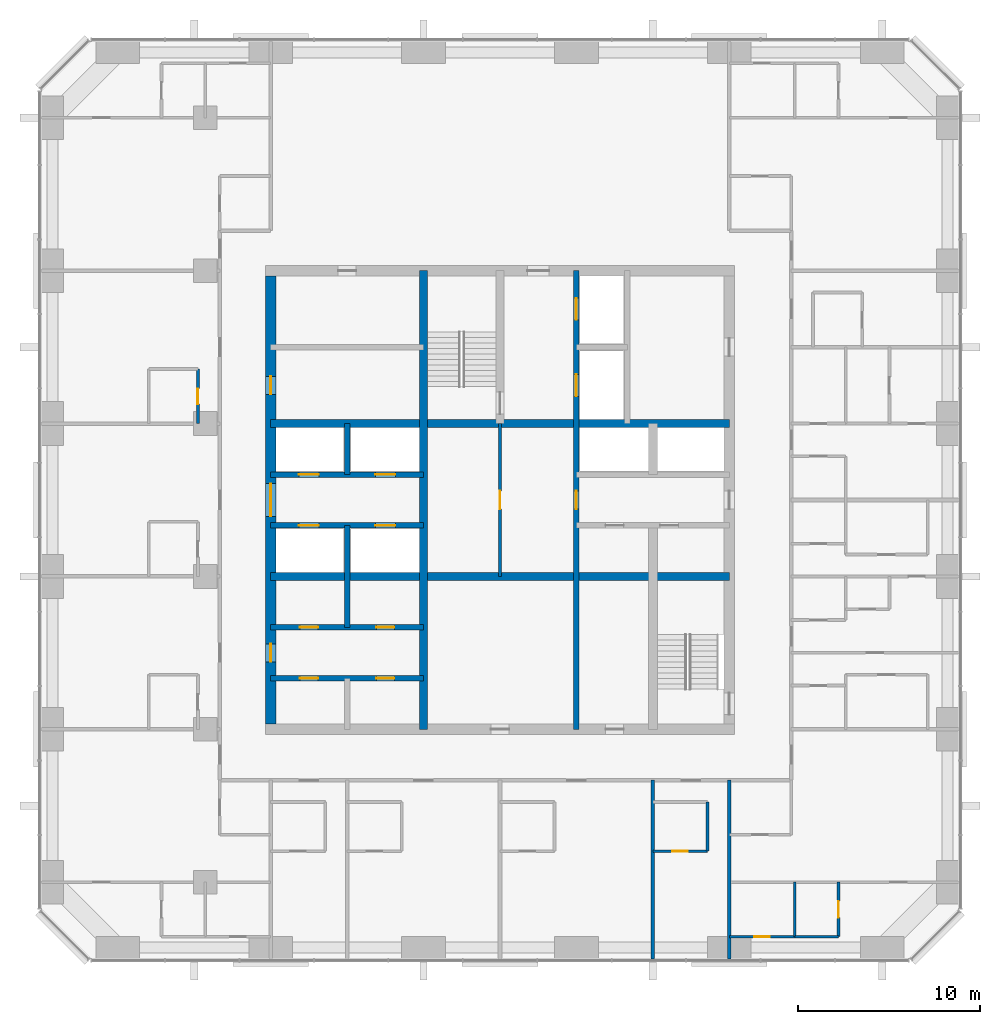
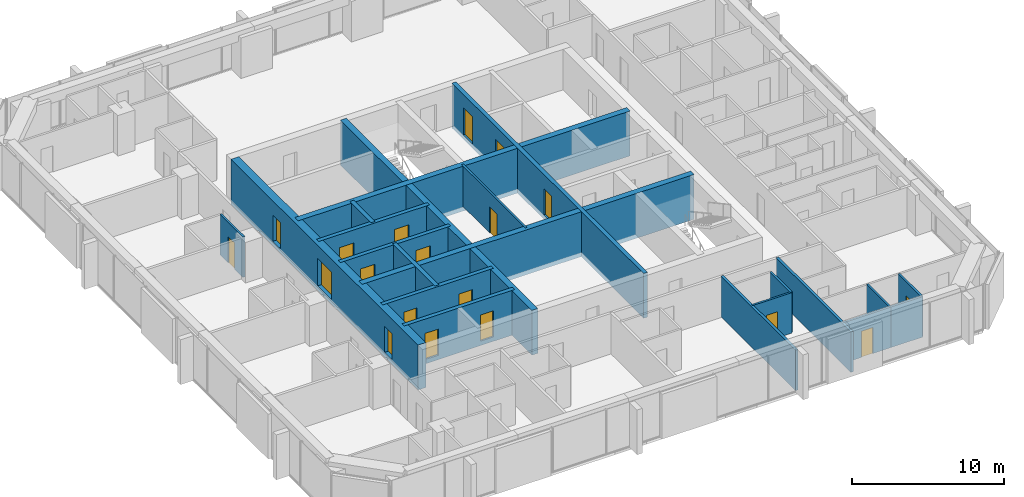
# One storey, part 9 of 13: 21 walls, 19 doors, 19 openings.
"""IFC4 building model written with IfcOpenShell, lengths in metres."""

from ifc_helpers import new_model, si_unit, direction, frame, frame_2d, origin, place, context, subcontext, project, spatial, rectangle, extrude, material, layer, layer_set, type_object, element, fill, save


model = new_model("IFC4")

# Units and contexts
model_context = context("Model", 3, precision=1e-05, world=origin(), true_north=direction((0.0, 1.0)))
body_context = subcontext(model_context, "Body", "Model", "MODEL_VIEW")
ifc_project = project(units=[si_unit("LENGTHUNIT", "METRE"), si_unit("AREAUNIT", "SQUARE_METRE"), si_unit("VOLUMEUNIT", "CUBIC_METRE"), si_unit("PLANEANGLEUNIT", "RADIAN"), si_unit("MASSUNIT", "GRAM", prefix="KILO")], contexts=[model_context])

# Site, building, storey
site_placement = place(None, origin())
site = spatial("IfcSite", under=ifc_project, at=site_placement, CompositionType="ELEMENT")
building_placement = place(site_placement, origin())
building = spatial("IfcBuilding", under=site, at=building_placement, Name="Dunama Terrace Hotel", CompositionType="ELEMENT")
storey_placement = place(building_placement, frame((0.0, 0.0, 191.39990234375)))
storey = spatial("IfcBuildingStorey", under=building, at=storey_placement, Name="L49", CompositionType="ELEMENT", Elevation=191.39990234375)

# Wall, opening, door
ifc_material_1 = material(Name="Gypsum board partition", Category="masonry")
ifc_layer_1 = layer(ifc_material_1, 0.14990234375)
ifc_layer_set_1 = layer_set([ifc_layer_1], Name="Bathroom partition 150")
wall_type_1 = type_object("IfcWallType", Name="Bathroom partition 150", PredefinedType="PARTITIONING", material=ifc_layer_set_1)
wall_1_placement = place(storey_placement, frame((12.800048828125, 33.60009765625, 0.0), z_axis=(0.0, 0.0, 1.0), x_axis=(0.0, 1.0, 0.0)))
wall_1 = element("IfcWall", 1, at=wall_1_placement, inside=storey, type_object=wall_type_1, Name="Bathroom partition 150 L49", PredefinedType="PARTITIONING", context=body_context, shape_type="SweptSolid", body=[
    extrude(rectangle(XDim=3.0, YDim=0.14990234375, at=frame_2d((1.5, 0.0))), origin(), (0.0, 0.0, 1.0), 3.25),
])
opening_1_placement = place(wall_1_placement, frame((1.074951171875, 0.0, 0.0)))
opening_1 = element("IfcOpeningElement", 2, at=opening_1_placement, cuts=wall_1, Name="Opening L48-50-038", PredefinedType="OPENING", context=body_context, shape_type="SweptSolid", body=[
    extrude(rectangle(XDim=0.85009765625, YDim=2.10009765625, at=frame_2d((0.425048828125, 1.050048828125))), frame((0.0, 0.0849609375, 0.0), z_axis=(0.0, -1.0, 0.0), x_axis=(1.0, 0.0, 0.0)), (0.0, 0.0, 1.0), 0.169921875),
])
ifc_material_2 = material(Name="Timber door with steel frame", Category="steel")
door_type_1 = type_object("IfcDoorType", Name="Bathroom door 850", OperationType="SINGLE_SWING_LEFT", PredefinedType="DOOR", material=ifc_material_2)
door_1_placement = place(opening_1_placement, origin())
door_1 = element("IfcDoor", 3, at=door_1_placement, inside=storey, type_object=door_type_1, Name="Door to en-suite bathroom L48-50-038, type D2", OperationType="SINGLE_SWING_LEFT", OverallHeight=2.10009765625, OverallWidth=0.85009765625, PredefinedType="DOOR", context=body_context, shape_type="SweptSolid", body=[
    extrude(rectangle(XDim=0.85009765625, YDim=2.10009765625, at=frame_2d((0.425048828125, 1.050048828125))), frame((0.0, 0.02490234375, 0.0), z_axis=(0.0, -1.0, 0.0), x_axis=(1.0, 0.0, 0.0)), (0.0, 0.0, 1.0), 0.050048828125),
])
fill(opening_1, door_1)

# Wall
wall_2_placement = place(storey_placement, frame((40.800048828125, 10.10009765625, 0.0), z_axis=(0.0, 0.0, 1.0), x_axis=(0.0, 1.0, 0.0)))
element("IfcWall", 4, at=wall_2_placement, inside=storey, type_object=wall_type_1, Name="Bathroom partition 150 L49", PredefinedType="PARTITIONING", context=body_context, shape_type="SweptSolid", body=[
    extrude(rectangle(XDim=2.699951171875, YDim=0.14990234375, at=frame_2d((1.35009765625, 0.0))), origin(), (0.0, 0.0, 1.0), 3.25),
])

# Wall, opening, door
wall_3_placement = place(storey_placement, frame((42.0, 5.39990234375, 0.0), z_axis=(0.0, 0.0, 1.0), x_axis=(1.0, 0.0, 0.0)))
wall_3 = element("IfcWall", 5, at=wall_3_placement, inside=storey, type_object=wall_type_1, Name="Bathroom partition 150 L49", PredefinedType="PARTITIONING", context=body_context, shape_type="SweptSolid", body=[
    extrude(rectangle(XDim=3.60009765625, YDim=0.14990234375, at=frame_2d((1.800048828125, 0.0))), origin(), (0.0, 0.0, 1.0), 3.25),
])
opening_2_placement = place(wall_3_placement, frame((1.375, 0.0, 0.0)))
opening_2 = element("IfcOpeningElement", 6, at=opening_2_placement, cuts=wall_3, Name="Opening L48-50-047", PredefinedType="OPENING", context=body_context, shape_type="SweptSolid", body=[
    extrude(rectangle(XDim=0.85009765625, YDim=2.10009765625, at=frame_2d((0.425048828125, 1.050048828125))), frame((0.0, 0.0849609375, 0.0), z_axis=(0.0, -1.0, 0.0), x_axis=(1.0, 0.0, 0.0)), (0.0, 0.0, 1.0), 0.169921875),
])
door_2_placement = place(opening_2_placement, origin())
door_2 = element("IfcDoor", 7, at=door_2_placement, inside=storey, type_object=door_type_1, Name="Door to en-suite bathroom L48-50-047, type D2", OperationType="SINGLE_SWING_LEFT", OverallHeight=2.10009765625, OverallWidth=0.85009765625, PredefinedType="DOOR", context=body_context, shape_type="SweptSolid", body=[
    extrude(rectangle(XDim=0.85009765625, YDim=2.10009765625, at=frame_2d((0.425048828125, 1.050048828125))), frame((0.0, 0.02490234375, 0.0), z_axis=(0.0, -1.0, 0.0), x_axis=(1.0, 0.0, 0.0)), (0.0, 0.0, 1.0), 0.050048828125),
])
fill(opening_2, door_2)

wall_4_placement = place(storey_placement, frame((37.800048828125, 10.10009765625, 0.0), z_axis=(0.0, 0.0, 1.0), x_axis=(1.0, 0.0, 0.0)))
wall_4 = element("IfcWall", 8, at=wall_4_placement, inside=storey, type_object=wall_type_1, Name="Bathroom partition 150 L49", PredefinedType="PARTITIONING", context=body_context, shape_type="SweptSolid", body=[
    extrude(rectangle(XDim=3.0, YDim=0.14990234375, at=frame_2d((1.5, 0.0))), origin(), (0.0, 0.0, 1.0), 3.25),
])
opening_3_placement = place(wall_4_placement, frame((1.074951171875, 0.0, 0.0)))
opening_3 = element("IfcOpeningElement", 9, at=opening_3_placement, cuts=wall_4, Name="Opening L48-50-016", PredefinedType="OPENING", context=body_context, shape_type="SweptSolid", body=[
    extrude(rectangle(XDim=0.85009765625, YDim=2.10009765625, at=frame_2d((0.425048828125, 1.050048828125))), frame((0.0, 0.0849609375, 0.0), z_axis=(0.0, -1.0, 0.0), x_axis=(1.0, 0.0, 0.0)), (0.0, 0.0, 1.0), 0.169921875),
])
door_3_placement = place(opening_3_placement, origin())
door_3 = element("IfcDoor", 10, at=door_3_placement, inside=storey, type_object=door_type_1, Name="Door to en-suite bathroom L48-50-016, type D2", OperationType="SINGLE_SWING_LEFT", OverallHeight=2.10009765625, OverallWidth=0.85009765625, PredefinedType="DOOR", context=body_context, shape_type="SweptSolid", body=[
    extrude(rectangle(XDim=0.85009765625, YDim=2.10009765625, at=frame_2d((0.425048828125, 1.050048828125))), frame((0.0, 0.02490234375, 0.0), z_axis=(0.0, -1.0, 0.0), x_axis=(1.0, 0.0, 0.0)), (0.0, 0.0, 1.0), 0.050048828125),
])
fill(opening_3, door_3)

# Walls
ifc_material_3 = material(Name="Concrete C50/60", Category="concrete")
ifc_layer_2 = layer(ifc_material_3, 0.300048828125)
ifc_layer_set_2 = layer_set([ifc_layer_2], Name="Core inner wall 300")
wall_type_2 = type_object("IfcWallType", Name="Core inner wall 300", PredefinedType="SHEAR", material=ifc_layer_set_2)
wall_5_placement = place(storey_placement, frame((21.0, 22.39990234375, -0.349853515625), z_axis=(0.0, 0.0, 1.0), x_axis=(0.0, 1.0, 0.0)))
element("IfcWall", 11, at=wall_5_placement, inside=storey, type_object=wall_type_2, Name="Core inner wall 300 L49", PredefinedType="SHEAR", context=body_context, shape_type="SweptSolid", body=[
    extrude(rectangle(XDim=5.60009765625, YDim=0.300048828125, at=frame_2d((2.800048828125, 0.0))), origin(), (0.0, 0.0, 1.0), 3.599853515625),
])
wall_6_placement = place(storey_placement, frame((21.0, 30.800048828125, -0.349853515625), z_axis=(0.0, 0.0, 1.0), x_axis=(0.0, 1.0, 0.0)))
element("IfcWall", 12, at=wall_6_placement, inside=storey, type_object=wall_type_2, Name="Core inner wall 300 L49", PredefinedType="SHEAR", context=body_context, shape_type="SweptSolid", body=[
    extrude(rectangle(XDim=2.800048828125, YDim=0.300048828125, at=frame_2d((1.39990234375, 0.0))), origin(), (0.0, 0.0, 1.0), 3.599853515625),
])

# Wall, openings, doors
wall_7_placement = place(storey_placement, frame((33.60009765625, 16.800048828125, -0.349853515625), z_axis=(0.0, 0.0, 1.0), x_axis=(0.0, 1.0, 0.0)))
wall_7 = element("IfcWall", 13, at=wall_7_placement, inside=storey, type_object=wall_type_2, Name="Core inner wall 300 L49", PredefinedType="SHEAR", context=body_context, shape_type="SweptSolid", body=[
    extrude(rectangle(XDim=25.199951171875, YDim=0.300048828125, at=frame_2d((12.60009765625, 0.0))), origin(), (0.0, 0.0, 1.0), 3.599853515625),
])
opening_4_placement = place(wall_7_placement, frame((22.5, 0.0, 0.35009765625)))
opening_4 = element("IfcOpeningElement", 14, at=opening_4_placement, cuts=wall_7, Name="Opening L48-50-007", PredefinedType="OPENING", context=body_context, shape_type="SweptSolid", body=[
    extrude(rectangle(XDim=1.199951171875, YDim=2.199951171875, at=frame_2d((0.60009765625, 1.10009765625))), frame((0.0, 0.159912109375, 0.0), z_axis=(0.0, -1.0, 0.0), x_axis=(1.0, 0.0, 0.0)), (0.0, 0.0, 1.0), 0.320068359375),
])
opening_5_placement = place(wall_7_placement, frame((18.300048828125, 0.0, 0.35009765625)))
opening_5 = element("IfcOpeningElement", 15, at=opening_5_placement, cuts=wall_7, Name="Opening L48-50-008", PredefinedType="OPENING", context=body_context, shape_type="SweptSolid", body=[
    extrude(rectangle(XDim=1.199951171875, YDim=2.199951171875, at=frame_2d((0.60009765625, 1.10009765625))), frame((0.0, 0.159912109375, 0.0), z_axis=(0.0, -1.0, 0.0), x_axis=(1.0, 0.0, 0.0)), (0.0, 0.0, 1.0), 0.320068359375),
])
opening_6_placement = place(wall_7_placement, frame((12.10009765625, 0.0, 0.35009765625)))
opening_6 = element("IfcOpeningElement", 16, at=opening_6_placement, cuts=wall_7, Name="Opening L48-50-067", PredefinedType="OPENING", context=body_context, shape_type="SweptSolid", body=[
    extrude(rectangle(XDim=1.0, YDim=2.10009765625, at=frame_2d((0.5, 1.050048828125))), frame((0.0, 0.159912109375, 0.0), z_axis=(0.0, -1.0, 0.0), x_axis=(1.0, 0.0, 0.0)), (0.0, 0.0, 1.0), 0.320068359375),
])
ifc_material_4 = material(Name="Stainless steel lift door", Category="steel")
door_type_2 = type_object("IfcDoorType", Name="Firefighting lift landing door 1200", OperationType="DOUBLE_DOOR_SLIDING", PredefinedType="DOOR", material=ifc_material_4)
door_4_placement = place(opening_4_placement, origin())
door_4 = element("IfcDoor", 17, at=door_4_placement, inside=storey, type_object=door_type_2, Name="Landing door FL1 L48-50-007, type LD2", OperationType="DOUBLE_DOOR_SLIDING", OverallHeight=2.199951171875, OverallWidth=1.199951171875, PredefinedType="DOOR", context=body_context, shape_type="SweptSolid", body=[
    extrude(rectangle(XDim=1.199951171875, YDim=2.199951171875, at=frame_2d((0.60009765625, 1.10009765625))), frame((0.0, 0.02490234375, 0.0), z_axis=(0.0, -1.0, 0.0), x_axis=(1.0, 0.0, 0.0)), (0.0, 0.0, 1.0), 0.050048828125),
])
fill(opening_4, door_4)
door_5_placement = place(opening_5_placement, origin())
door_5 = element("IfcDoor", 18, at=door_5_placement, inside=storey, type_object=door_type_2, Name="Landing door FL2 L48-50-008, type LD2", OperationType="DOUBLE_DOOR_SLIDING", OverallHeight=2.199951171875, OverallWidth=1.199951171875, PredefinedType="DOOR", context=body_context, shape_type="SweptSolid", body=[
    extrude(rectangle(XDim=1.199951171875, YDim=2.199951171875, at=frame_2d((0.60009765625, 1.10009765625))), frame((0.0, 0.02490234375, 0.0), z_axis=(0.0, -1.0, 0.0), x_axis=(1.0, 0.0, 0.0)), (0.0, 0.0, 1.0), 0.050048828125),
])
fill(opening_5, door_5)
ifc_material_5 = material(Name="Timber door with steel frame", Category="steel")
door_type_3 = type_object("IfcDoorType", Name="Service door 1000", OperationType="SINGLE_SWING_LEFT", PredefinedType="DOOR", material=ifc_material_5)
door_6_placement = place(opening_6_placement, origin())
door_6 = element("IfcDoor", 19, at=door_6_placement, inside=storey, type_object=door_type_3, Name="Door to linen store L48-50-067, type D7", OperationType="SINGLE_SWING_LEFT", OverallHeight=2.10009765625, OverallWidth=1.0, PredefinedType="DOOR", context=body_context, shape_type="SweptSolid", body=[
    extrude(rectangle(XDim=1.0, YDim=2.10009765625, at=frame_2d((0.5, 1.050048828125))), frame((0.0, 0.02490234375, 0.0), z_axis=(0.0, -1.0, 0.0), x_axis=(1.0, 0.0, 0.0)), (0.0, 0.0, 1.0), 0.050048828125),
])
fill(opening_6, door_6)

wall_8_placement = place(storey_placement, frame((16.800048828125, 19.60009765625, -0.349853515625), z_axis=(0.0, 0.0, 1.0), x_axis=(1.0, 0.0, 0.0)))
wall_8 = element("IfcWall", 20, at=wall_8_placement, inside=storey, type_object=wall_type_2, Name="Core inner wall 300 L49", PredefinedType="SHEAR", context=body_context, shape_type="SweptSolid", body=[
    extrude(rectangle(XDim=8.39990234375, YDim=0.300048828125, at=frame_2d((4.199951171875, 0.0))), origin(), (0.0, 0.0, 1.0), 3.599853515625),
])
opening_7_placement = place(wall_8_placement, frame((1.60009765625, 0.0, 0.35009765625)))
opening_7 = element("IfcOpeningElement", 21, at=opening_7_placement, cuts=wall_8, Name="Opening L48-50-060", PredefinedType="OPENING", context=body_context, shape_type="SweptSolid", body=[
    extrude(rectangle(XDim=1.0, YDim=2.10009765625, at=frame_2d((0.5, 1.050048828125))), frame((0.0, 0.159912109375, 0.0), z_axis=(0.0, -1.0, 0.0), x_axis=(1.0, 0.0, 0.0)), (0.0, 0.0, 1.0), 0.320068359375),
])
opening_8_placement = place(wall_8_placement, frame((5.800048828125, 0.0, 0.35009765625)))
opening_8 = element("IfcOpeningElement", 22, at=opening_8_placement, cuts=wall_8, Name="Opening L48-50-061", PredefinedType="OPENING", context=body_context, shape_type="SweptSolid", body=[
    extrude(rectangle(XDim=1.0, YDim=2.10009765625, at=frame_2d((0.5, 1.050048828125))), frame((0.0, 0.159912109375, 0.0), z_axis=(0.0, -1.0, 0.0), x_axis=(1.0, 0.0, 0.0)), (0.0, 0.0, 1.0), 0.320068359375),
])
door_7_placement = place(opening_7_placement, frame((1.0, 0.0, 0.0), z_axis=(0.0, 0.0, 1.0), x_axis=(-1.0, 0.0, 0.0)))
door_7 = element("IfcDoor", 23, at=door_7_placement, inside=storey, type_object=door_type_3, Name="Door to service riser L48-50-060, type D7", OperationType="SINGLE_SWING_RIGHT", OverallHeight=2.10009765625, OverallWidth=1.0, PredefinedType="DOOR", context=body_context, shape_type="SweptSolid", body=[
    extrude(rectangle(XDim=1.0, YDim=2.10009765625, at=frame_2d((0.5, 1.050048828125))), frame((0.0, 0.025146484375, 0.0), z_axis=(0.0, -1.0, 0.0), x_axis=(1.0, 0.0, 0.0)), (0.0, 0.0, 1.0), 0.050048828125),
])
fill(opening_7, door_7)
door_8_placement = place(opening_8_placement, frame((1.0, 0.0, 0.0), z_axis=(0.0, 0.0, 1.0), x_axis=(-1.0, 0.0, 0.0)))
door_8 = element("IfcDoor", 24, at=door_8_placement, inside=storey, type_object=door_type_3, Name="Door to housekeeping store L48-50-061, type D7", OperationType="SINGLE_SWING_LEFT", OverallHeight=2.10009765625, OverallWidth=1.0, PredefinedType="DOOR", context=body_context, shape_type="SweptSolid", body=[
    extrude(rectangle(XDim=1.0, YDim=2.10009765625, at=frame_2d((0.5, 1.050048828125))), frame((0.0, 0.025146484375, 0.0), z_axis=(0.0, -1.0, 0.0), x_axis=(1.0, 0.0, 0.0)), (0.0, 0.0, 1.0), 0.050048828125),
])
fill(opening_8, door_8)

wall_9_placement = place(storey_placement, frame((16.800048828125, 22.39990234375, -0.349853515625), z_axis=(0.0, 0.0, 1.0), x_axis=(1.0, 0.0, 0.0)))
wall_9 = element("IfcWall", 25, at=wall_9_placement, inside=storey, type_object=wall_type_2, Name="Core inner wall 300 L49", PredefinedType="SHEAR", context=body_context, shape_type="SweptSolid", body=[
    extrude(rectangle(XDim=8.39990234375, YDim=0.300048828125, at=frame_2d((4.199951171875, 0.0))), origin(), (0.0, 0.0, 1.0), 3.599853515625),
])
opening_9_placement = place(wall_9_placement, frame((1.60009765625, 0.0, 0.35009765625)))
opening_9 = element("IfcOpeningElement", 26, at=opening_9_placement, cuts=wall_9, Name="Opening L48-50-062", PredefinedType="OPENING", context=body_context, shape_type="SweptSolid", body=[
    extrude(rectangle(XDim=1.0, YDim=2.10009765625, at=frame_2d((0.5, 1.050048828125))), frame((0.0, 0.159912109375, 0.0), z_axis=(0.0, -1.0, 0.0), x_axis=(1.0, 0.0, 0.0)), (0.0, 0.0, 1.0), 0.320068359375),
])
opening_10_placement = place(wall_9_placement, frame((5.800048828125, 0.0, 0.35009765625)))
opening_10 = element("IfcOpeningElement", 27, at=opening_10_placement, cuts=wall_9, Name="Opening L48-50-063", PredefinedType="OPENING", context=body_context, shape_type="SweptSolid", body=[
    extrude(rectangle(XDim=1.0, YDim=2.10009765625, at=frame_2d((0.5, 1.050048828125))), frame((0.0, 0.159912109375, 0.0), z_axis=(0.0, -1.0, 0.0), x_axis=(1.0, 0.0, 0.0)), (0.0, 0.0, 1.0), 0.320068359375),
])
door_9_placement = place(opening_9_placement, origin())
door_9 = element("IfcDoor", 28, at=door_9_placement, inside=storey, type_object=door_type_3, Name="Door to staff accessible wc L48-50-062, type D7", OperationType="SINGLE_SWING_LEFT", OverallHeight=2.10009765625, OverallWidth=1.0, PredefinedType="DOOR", context=body_context, shape_type="SweptSolid", body=[
    extrude(rectangle(XDim=1.0, YDim=2.10009765625, at=frame_2d((0.5, 1.050048828125))), frame((0.0, 0.02490234375, 0.0), z_axis=(0.0, -1.0, 0.0), x_axis=(1.0, 0.0, 0.0)), (0.0, 0.0, 1.0), 0.050048828125),
])
fill(opening_9, door_9)
door_10_placement = place(opening_10_placement, origin())
door_10 = element("IfcDoor", 29, at=door_10_placement, inside=storey, type_object=door_type_3, Name="Door to it room L48-50-063, type D7", OperationType="SINGLE_SWING_RIGHT", OverallHeight=2.10009765625, OverallWidth=1.0, PredefinedType="DOOR", context=body_context, shape_type="SweptSolid", body=[
    extrude(rectangle(XDim=1.0, YDim=2.10009765625, at=frame_2d((0.5, 1.050048828125))), frame((0.0, 0.02490234375, 0.0), z_axis=(0.0, -1.0, 0.0), x_axis=(1.0, 0.0, 0.0)), (0.0, 0.0, 1.0), 0.050048828125),
])
fill(opening_10, door_10)

wall_10_placement = place(storey_placement, frame((16.800048828125, 28.0, -0.349853515625), z_axis=(0.0, 0.0, 1.0), x_axis=(1.0, 0.0, 0.0)))
wall_10 = element("IfcWall", 30, at=wall_10_placement, inside=storey, type_object=wall_type_2, Name="Core inner wall 300 L49", PredefinedType="SHEAR", context=body_context, shape_type="SweptSolid", body=[
    extrude(rectangle(XDim=8.39990234375, YDim=0.300048828125, at=frame_2d((4.199951171875, 0.0))), origin(), (0.0, 0.0, 1.0), 3.599853515625),
])
opening_11_placement = place(wall_10_placement, frame((1.550048828125, 0.0, 0.35009765625)))
opening_11 = element("IfcOpeningElement", 31, at=opening_11_placement, cuts=wall_10, Name="Opening L48-50-003", PredefinedType="OPENING", context=body_context, shape_type="SweptSolid", body=[
    extrude(rectangle(XDim=1.10009765625, YDim=2.199951171875, at=frame_2d((0.550048828125, 1.10009765625))), frame((0.0, 0.159912109375, 0.0), z_axis=(0.0, -1.0, 0.0), x_axis=(1.0, 0.0, 0.0)), (0.0, 0.0, 1.0), 0.320068359375),
])
opening_12_placement = place(wall_10_placement, frame((5.75, 0.0, 0.35009765625)))
opening_12 = element("IfcOpeningElement", 32, at=opening_12_placement, cuts=wall_10, Name="Opening L48-50-004", PredefinedType="OPENING", context=body_context, shape_type="SweptSolid", body=[
    extrude(rectangle(XDim=1.10009765625, YDim=2.199951171875, at=frame_2d((0.550048828125, 1.10009765625))), frame((0.0, 0.159912109375, 0.0), z_axis=(0.0, -1.0, 0.0), x_axis=(1.0, 0.0, 0.0)), (0.0, 0.0, 1.0), 0.320068359375),
])
ifc_material_6 = material(Name="Stainless steel lift door", Category="steel")
door_type_4 = type_object("IfcDoorType", Name="Lift landing door 1100", OperationType="DOUBLE_DOOR_SLIDING", PredefinedType="DOOR", material=ifc_material_6)
door_11_placement = place(opening_11_placement, origin())
door_11 = element("IfcDoor", 33, at=door_11_placement, inside=storey, type_object=door_type_4, Name="Landing door PC1 L48-50-003, type LD1", OperationType="DOUBLE_DOOR_SLIDING", OverallHeight=2.199951171875, OverallWidth=1.10009765625, PredefinedType="DOOR", context=body_context, shape_type="SweptSolid", body=[
    extrude(rectangle(XDim=1.10009765625, YDim=2.199951171875, at=frame_2d((0.550048828125, 1.10009765625))), frame((0.0, 0.02490234375, 0.0), z_axis=(0.0, -1.0, 0.0), x_axis=(1.0, 0.0, 0.0)), (0.0, 0.0, 1.0), 0.050048828125),
])
fill(opening_11, door_11)
door_12_placement = place(opening_12_placement, origin())
door_12 = element("IfcDoor", 34, at=door_12_placement, inside=storey, type_object=door_type_4, Name="Landing door PC2 L48-50-004, type LD1", OperationType="DOUBLE_DOOR_SLIDING", OverallHeight=2.199951171875, OverallWidth=1.10009765625, PredefinedType="DOOR", context=body_context, shape_type="SweptSolid", body=[
    extrude(rectangle(XDim=1.10009765625, YDim=2.199951171875, at=frame_2d((0.550048828125, 1.10009765625))), frame((0.0, 0.02490234375, 0.0), z_axis=(0.0, -1.0, 0.0), x_axis=(1.0, 0.0, 0.0)), (0.0, 0.0, 1.0), 0.050048828125),
])
fill(opening_12, door_12)

wall_11_placement = place(storey_placement, frame((16.800048828125, 30.800048828125, -0.349853515625), z_axis=(0.0, 0.0, 1.0), x_axis=(1.0, 0.0, 0.0)))
wall_11 = element("IfcWall", 35, at=wall_11_placement, inside=storey, type_object=wall_type_2, Name="Core inner wall 300 L49", PredefinedType="SHEAR", context=body_context, shape_type="SweptSolid", body=[
    extrude(rectangle(XDim=8.39990234375, YDim=0.300048828125, at=frame_2d((4.199951171875, 0.0))), origin(), (0.0, 0.0, 1.0), 3.599853515625),
])
opening_13_placement = place(wall_11_placement, frame((1.550048828125, 0.0, 0.35009765625)))
opening_13 = element("IfcOpeningElement", 36, at=opening_13_placement, cuts=wall_11, Name="Opening L48-50-005", PredefinedType="OPENING", context=body_context, shape_type="SweptSolid", body=[
    extrude(rectangle(XDim=1.10009765625, YDim=2.199951171875, at=frame_2d((0.550048828125, 1.10009765625))), frame((0.0, 0.159912109375, 0.0), z_axis=(0.0, -1.0, 0.0), x_axis=(1.0, 0.0, 0.0)), (0.0, 0.0, 1.0), 0.320068359375),
])
opening_14_placement = place(wall_11_placement, frame((5.75, 0.0, 0.35009765625)))
opening_14 = element("IfcOpeningElement", 37, at=opening_14_placement, cuts=wall_11, Name="Opening L48-50-006", PredefinedType="OPENING", context=body_context, shape_type="SweptSolid", body=[
    extrude(rectangle(XDim=1.10009765625, YDim=2.199951171875, at=frame_2d((0.550048828125, 1.10009765625))), frame((0.0, 0.159912109375, 0.0), z_axis=(0.0, -1.0, 0.0), x_axis=(1.0, 0.0, 0.0)), (0.0, 0.0, 1.0), 0.320068359375),
])
door_13_placement = place(opening_13_placement, origin())
door_13 = element("IfcDoor", 38, at=door_13_placement, inside=storey, type_object=door_type_4, Name="Landing door PC3 L48-50-005, type LD1", OperationType="DOUBLE_DOOR_SLIDING", OverallHeight=2.199951171875, OverallWidth=1.10009765625, PredefinedType="DOOR", context=body_context, shape_type="SweptSolid", body=[
    extrude(rectangle(XDim=1.10009765625, YDim=2.199951171875, at=frame_2d((0.550048828125, 1.10009765625))), frame((0.0, 0.02490234375, 0.0), z_axis=(0.0, -1.0, 0.0), x_axis=(1.0, 0.0, 0.0)), (0.0, 0.0, 1.0), 0.050048828125),
])
fill(opening_13, door_13)
door_14_placement = place(opening_14_placement, origin())
door_14 = element("IfcDoor", 39, at=door_14_placement, inside=storey, type_object=door_type_4, Name="Landing door PC4 L48-50-006, type LD1", OperationType="DOUBLE_DOOR_SLIDING", OverallHeight=2.199951171875, OverallWidth=1.10009765625, PredefinedType="DOOR", context=body_context, shape_type="SweptSolid", body=[
    extrude(rectangle(XDim=1.10009765625, YDim=2.199951171875, at=frame_2d((0.550048828125, 1.10009765625))), frame((0.0, 0.02490234375, 0.0), z_axis=(0.0, -1.0, 0.0), x_axis=(1.0, 0.0, 0.0)), (0.0, 0.0, 1.0), 0.050048828125),
])
fill(opening_14, door_14)

# Walls
ifc_material_7 = material(Name="Concrete C50/60", Category="concrete")
ifc_layer_3 = layer(ifc_material_7, 0.449951171875)
ifc_layer_set_3 = layer_set([ifc_layer_3], Name="Core inner wall 450")
wall_type_3 = type_object("IfcWallType", Name="Core inner wall 450", PredefinedType="SHEAR", material=ifc_layer_set_3)
for number, where, z_axis, x_axis, name in (
    (40, (25.199951171875, 16.800048828125, -0.349853515625), (0.0, 0.0, 1.0), (0.0, 1.0, 0.0), "Core inner wall 450 L49"),
    (41, (16.800048828125, 25.199951171875, -0.349853515625), (0.0, 0.0, 1.0), (1.0, 0.0, 0.0), "Core inner wall 450 L49"),
    (42, (16.800048828125, 33.60009765625, -0.349853515625), (0.0, 0.0, 1.0), (1.0, 0.0, 0.0), "Core inner wall 450 L49"),
):
    element("IfcWall", number, at=place(storey_placement, frame(where, z_axis=z_axis, x_axis=x_axis)), inside=storey, type_object=wall_type_3, Name=name, PredefinedType="SHEAR", context=body_context, shape_type="SweptSolid", body=[
        extrude(rectangle(XDim=25.199951171875, YDim=0.449951171875, at=frame_2d((12.60009765625, 0.0))), origin(), (0.0, 0.0, 1.0), 3.599853515625),
    ])

# Wall, openings, doors
ifc_material_8 = material(Name="Concrete C50/60", Category="concrete")
ifc_layer_4 = layer(ifc_material_8, 0.60009765625)
ifc_layer_set_4 = layer_set([ifc_layer_4], Name="Core wall 600")
wall_type_4 = type_object("IfcWallType", Name="Core wall 600", PredefinedType="SHEAR", material=ifc_layer_set_4)
wall_12_placement = place(storey_placement, frame((16.800048828125, 41.699951171875, -0.349853515625), z_axis=(0.0, 0.0, 1.0), x_axis=(0.0, -1.0, 0.0)))
wall_12 = element("IfcWall", 43, at=wall_12_placement, inside=storey, type_object=wall_type_4, Name="Core wall west L49", PredefinedType="SHEAR", context=body_context, shape_type="SweptSolid", body=[
    extrude(rectangle(XDim=24.599853515625, YDim=0.60009765625, at=frame_2d((12.2998046875, 0.0))), origin(), (0.0, 0.0, 1.0), 3.599853515625),
])
opening_15_placement = place(wall_12_placement, frame((11.39990234375, 0.0, 0.35009765625)))
opening_15 = element("IfcOpeningElement", 44, at=opening_15_placement, cuts=wall_12, Name="Opening L48-50-059", PredefinedType="OPENING", context=body_context, shape_type="SweptSolid", body=[
    extrude(rectangle(XDim=1.800048828125, YDim=2.199951171875, at=frame_2d((0.89990234375, 1.10009765625))), frame((0.0, 0.31005859375, 0.0), z_axis=(0.0, -1.0, 0.0), x_axis=(1.0, 0.0, 0.0)), (0.0, 0.0, 1.0), 0.6201171875),
])
opening_16_placement = place(wall_12_placement, frame((20.199951171875, 0.0, 0.35009765625)))
opening_16 = element("IfcOpeningElement", 45, at=opening_16_placement, cuts=wall_12, Name="Opening L48-50-064", PredefinedType="OPENING", context=body_context, shape_type="SweptSolid", body=[
    extrude(rectangle(XDim=1.0, YDim=2.10009765625, at=frame_2d((0.5, 1.050048828125))), frame((0.0, 0.31005859375, 0.0), z_axis=(0.0, -1.0, 0.0), x_axis=(1.0, 0.0, 0.0)), (0.0, 0.0, 1.0), 0.6201171875),
])
opening_17_placement = place(wall_12_placement, frame((5.5, 0.0, 0.35009765625)))
opening_17 = element("IfcOpeningElement", 46, at=opening_17_placement, cuts=wall_12, Name="Opening L48-50-065", PredefinedType="OPENING", context=body_context, shape_type="SweptSolid", body=[
    extrude(rectangle(XDim=1.0, YDim=2.10009765625, at=frame_2d((0.5, 1.050048828125))), frame((0.0, 0.31005859375, 0.0), z_axis=(0.0, -1.0, 0.0), x_axis=(1.0, 0.0, 0.0)), (0.0, 0.0, 1.0), 0.6201171875),
])
ifc_material_9 = material(Name="Timber door with steel frame", Category="steel")
door_type_5 = type_object("IfcDoorType", Name="Lift lobby double door 1800", OperationType="DOUBLE_DOOR_DOUBLE_SWING", PredefinedType="DOOR", material=ifc_material_9)
door_15_placement = place(opening_15_placement, origin())
door_15 = element("IfcDoor", 47, at=door_15_placement, inside=storey, type_object=door_type_5, Name="Door to lift lobby L48-50-059, type D3", OperationType="DOUBLE_DOOR_DOUBLE_SWING", OverallHeight=2.199951171875, OverallWidth=1.800048828125, PredefinedType="DOOR", context=body_context, shape_type="SweptSolid", body=[
    extrude(rectangle(XDim=1.800048828125, YDim=2.199951171875, at=frame_2d((0.89990234375, 1.10009765625))), frame((0.0, 0.02490234375, 0.0), z_axis=(0.0, -1.0, 0.0), x_axis=(1.0, 0.0, 0.0)), (0.0, 0.0, 1.0), 0.050048828125),
])
fill(opening_15, door_15)
door_16_placement = place(opening_16_placement, origin())
door_16 = element("IfcDoor", 48, at=door_16_placement, inside=storey, type_object=door_type_3, Name="Door to back-of-house lobby L48-50-064, type D7", OperationType="SINGLE_SWING_LEFT", OverallHeight=2.10009765625, OverallWidth=1.0, PredefinedType="DOOR", context=body_context, shape_type="SweptSolid", body=[
    extrude(rectangle(XDim=1.0, YDim=2.10009765625, at=frame_2d((0.5, 1.050048828125))), frame((0.0, 0.02490234375, 0.0), z_axis=(0.0, -1.0, 0.0), x_axis=(1.0, 0.0, 0.0)), (0.0, 0.0, 1.0), 0.050048828125),
])
fill(opening_16, door_16)
door_17_placement = place(opening_17_placement, origin())
door_17 = element("IfcDoor", 49, at=door_17_placement, inside=storey, type_object=door_type_3, Name="Door to electrical room L48-50-065, type D7", OperationType="SINGLE_SWING_RIGHT", OverallHeight=2.10009765625, OverallWidth=1.0, PredefinedType="DOOR", context=body_context, shape_type="SweptSolid", body=[
    extrude(rectangle(XDim=1.0, YDim=2.10009765625, at=frame_2d((0.5, 1.050048828125))), frame((0.0, 0.02490234375, 0.0), z_axis=(0.0, -1.0, 0.0), x_axis=(1.0, 0.0, 0.0)), (0.0, 0.0, 1.0), 0.050048828125),
])
fill(opening_17, door_17)

# Walls
ifc_material_10 = material(Name="Concrete blockwork", Category="masonry")
ifc_layer_5 = layer(ifc_material_10, 0.199951171875)
ifc_layer_set_5 = layer_set([ifc_layer_5], Name="Party wall 200")
wall_type_5 = type_object("IfcWallType", Name="Party wall 200", PredefinedType="PARTITIONING", material=ifc_layer_set_5)
for number, where, z_axis, x_axis, name in (
    (50, (37.800048828125, 4.181884765625, 0.0), (0.0, 0.0, 1.0), (0.0, 1.0, 0.0), "Party wall 200 L49"),
    (51, (42.0, 4.181884765625, 0.0), (0.0, 0.0, 1.0), (0.0, 1.0, 0.0), "Party wall 200 L49"),
):
    element("IfcWall", number, at=place(storey_placement, frame(where, z_axis=z_axis, x_axis=x_axis)), inside=storey, type_object=wall_type_5, Name=name, PredefinedType="PARTITIONING", context=body_context, shape_type="SweptSolid", body=[
        extrude(rectangle(XDim=9.818115234375, YDim=0.199951171875, at=frame_2d((4.9091796875, 0.0))), origin(), (0.0, 0.0, 1.0), 3.25),
    ])

# Wall, opening, door
ifc_material_11 = material(Name="Gypsum board partition", Category="masonry")
ifc_layer_6 = layer(ifc_material_11, 0.14990234375)
ifc_layer_set_6 = layer_set([ifc_layer_6], Name="Room partition 150")
wall_type_6 = type_object("IfcWallType", Name="Room partition 150", PredefinedType="PARTITIONING", material=ifc_layer_set_6)
wall_13_placement = place(storey_placement, frame((29.39990234375, 25.199951171875, 0.0), z_axis=(0.0, 0.0, 1.0), x_axis=(0.0, 1.0, 0.0)))
wall_13 = element("IfcWall", 52, at=wall_13_placement, inside=storey, type_object=wall_type_6, Name="Room partition 150 L49", PredefinedType="PARTITIONING", context=body_context, shape_type="SweptSolid", body=[
    extrude(rectangle(XDim=8.400146484375, YDim=0.14990234375, at=frame_2d((4.2001953125, 0.0))), origin(), (0.0, 0.0, 1.0), 3.25),
])
opening_18_placement = place(wall_13_placement, frame((3.699951171875, 0.0, 0.0)))
opening_18 = element("IfcOpeningElement", 53, at=opening_18_placement, cuts=wall_13, Name="Opening L48-50-068", PredefinedType="OPENING", context=body_context, shape_type="SweptSolid", body=[
    extrude(rectangle(XDim=1.0, YDim=2.10009765625, at=frame_2d((0.5, 1.050048828125))), frame((0.0, 0.0849609375, 0.0), z_axis=(0.0, -1.0, 0.0), x_axis=(1.0, 0.0, 0.0)), (0.0, 0.0, 1.0), 0.169921875),
])
door_18_placement = place(opening_18_placement, origin())
door_18 = element("IfcDoor", 54, at=door_18_placement, inside=storey, type_object=door_type_3, Name="Door to guest amenities store L48-50-068, type D7", OperationType="SINGLE_SWING_LEFT", OverallHeight=2.10009765625, OverallWidth=1.0, PredefinedType="DOOR", context=body_context, shape_type="SweptSolid", body=[
    extrude(rectangle(XDim=1.0, YDim=2.10009765625, at=frame_2d((0.5, 1.050048828125))), frame((0.0, 0.02490234375, 0.0), z_axis=(0.0, -1.0, 0.0), x_axis=(1.0, 0.0, 0.0)), (0.0, 0.0, 1.0), 0.050048828125),
])
fill(opening_18, door_18)

# Wall
wall_14_placement = place(storey_placement, frame((45.60009765625, 5.39990234375, 0.0), z_axis=(0.0, 0.0, 1.0), x_axis=(0.0, 1.0, 0.0)))
element("IfcWall", 55, at=wall_14_placement, inside=storey, type_object=wall_type_6, Name="Room partition 150 L49", PredefinedType="PARTITIONING", context=body_context, shape_type="SweptSolid", body=[
    extrude(rectangle(XDim=3.0, YDim=0.14990234375, at=frame_2d((1.5, 0.0))), origin(), (0.0, 0.0, 1.0), 3.25),
])

# Wall, opening, door
wall_15_placement = place(storey_placement, frame((48.0, 5.39990234375, 0.0), z_axis=(0.0, 0.0, 1.0), x_axis=(0.0, 1.0, 0.0)))
wall_15 = element("IfcWall", 56, at=wall_15_placement, inside=storey, type_object=wall_type_6, Name="Room partition 150 L49", PredefinedType="PARTITIONING", context=body_context, shape_type="SweptSolid", body=[
    extrude(rectangle(XDim=3.0, YDim=0.14990234375, at=frame_2d((1.5, 0.0))), origin(), (0.0, 0.0, 1.0), 3.25),
])
opening_19_placement = place(wall_15_placement, frame((1.050048828125, 0.0, 0.0)))
opening_19 = element("IfcOpeningElement", 57, at=opening_19_placement, cuts=wall_15, Name="Opening L48-50-048", PredefinedType="OPENING", context=body_context, shape_type="SweptSolid", body=[
    extrude(rectangle(XDim=0.89990234375, YDim=2.10009765625, at=frame_2d((0.449951171875, 1.050048828125))), frame((0.0, 0.0849609375, 0.0), z_axis=(0.0, -1.0, 0.0), x_axis=(1.0, 0.0, 0.0)), (0.0, 0.0, 1.0), 0.169921875),
])
ifc_material_12 = material(Name="Timber door with steel frame", Category="steel")
door_type_6 = type_object("IfcDoorType", Name="Suite internal door 900", OperationType="SINGLE_SWING_LEFT", PredefinedType="DOOR", material=ifc_material_12)
door_19_placement = place(opening_19_placement, origin())
door_19 = element("IfcDoor", 58, at=door_19_placement, inside=storey, type_object=door_type_6, Name="Door to dressing room L48-50-048, type D16", OperationType="SINGLE_SWING_LEFT", OverallHeight=2.10009765625, OverallWidth=0.89990234375, PredefinedType="DOOR", context=body_context, shape_type="SweptSolid", body=[
    extrude(rectangle(XDim=0.89990234375, YDim=2.10009765625, at=frame_2d((0.449951171875, 1.050048828125))), frame((0.0, 0.02490234375, 0.0), z_axis=(0.0, -1.0, 0.0), x_axis=(1.0, 0.0, 0.0)), (0.0, 0.0, 1.0), 0.050048828125),
])
fill(opening_19, door_19)

# Wall
wall_16_placement = place(storey_placement, frame((45.60009765625, 5.39990234375, 0.0), z_axis=(0.0, 0.0, 1.0), x_axis=(1.0, 0.0, 0.0)))
element("IfcWall", 59, at=wall_16_placement, inside=storey, type_object=wall_type_6, Name="Room partition 150 L49", PredefinedType="PARTITIONING", context=body_context, shape_type="SweptSolid", body=[
    extrude(rectangle(XDim=2.39990234375, YDim=0.14990234375, at=frame_2d((1.199951171875, 0.0))), origin(), (0.0, 0.0, 1.0), 3.25),
])

save(model, "model.ifc")
